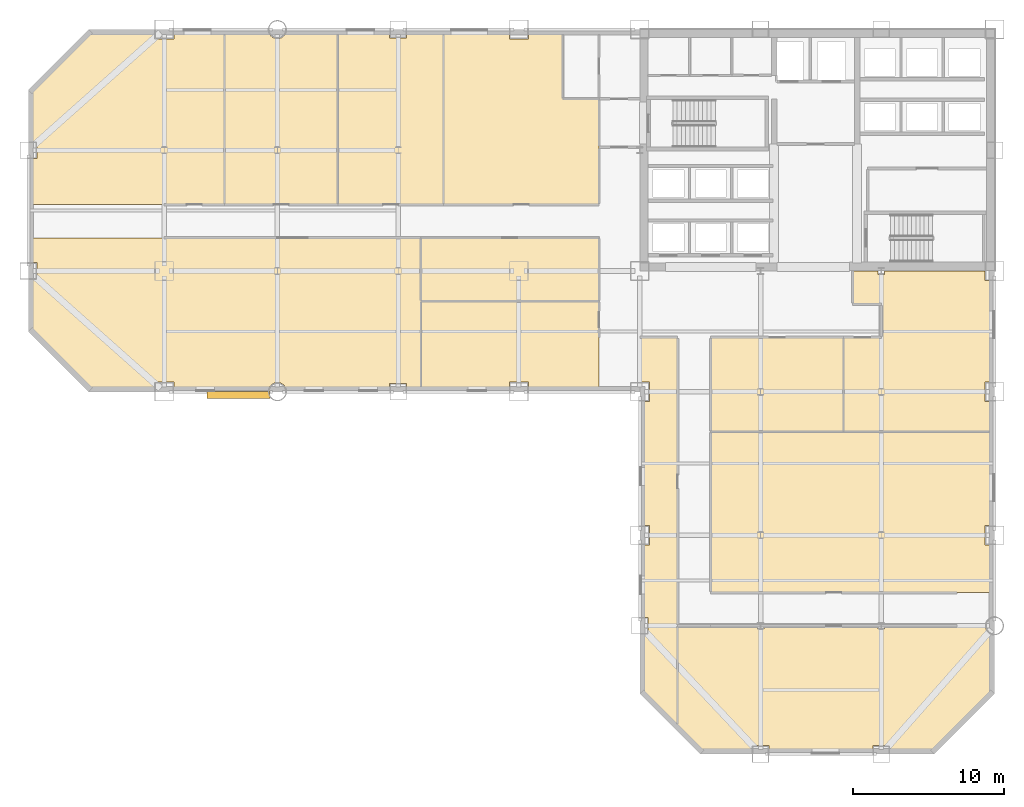
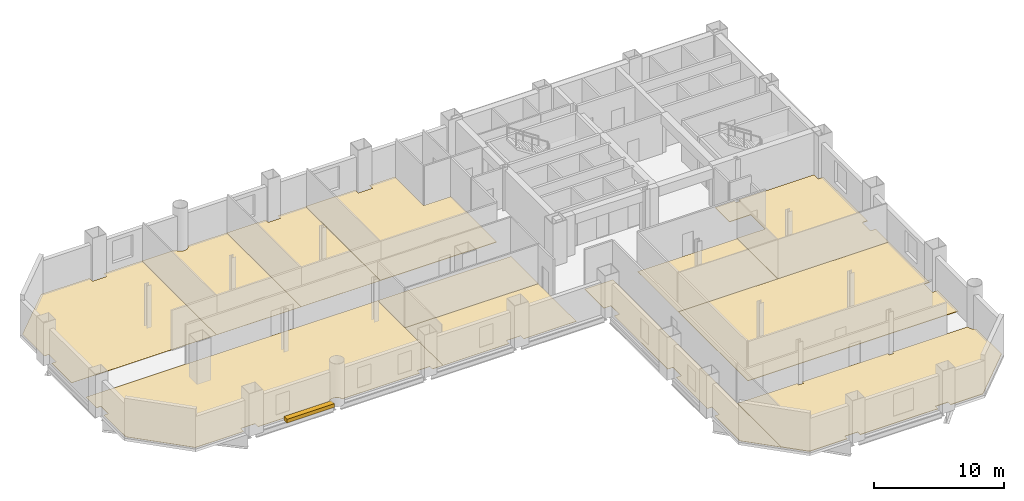
# One storey, part 8 of 9: 12 coverings, 1 shading device.
"""IFC4 building model written with IfcOpenShell, lengths in metres."""

from ifc_helpers import new_model, si_unit, direction, frame, origin, origin_2d, place, context, subcontext, project, spatial, polyline, rectangle, outline, extrude, material, layer, layer_set, type_object, element, save


model = new_model("IFC4")

# Units and contexts
model_context = context("Model", 3, precision=1e-05, world=origin(), true_north=direction((0.0, 1.0)))
body_context = subcontext(model_context, "Body", "Model", "MODEL_VIEW")
ifc_project = project(units=[si_unit("LENGTHUNIT", "METRE"), si_unit("AREAUNIT", "SQUARE_METRE"), si_unit("VOLUMEUNIT", "CUBIC_METRE"), si_unit("PLANEANGLEUNIT", "RADIAN"), si_unit("MASSUNIT", "GRAM", prefix="KILO")], contexts=[model_context])

# Site, building, storey
site_placement = place(None, origin())
site = spatial("IfcSite", under=ifc_project, at=site_placement, CompositionType="ELEMENT")
building_placement = place(site_placement, origin())
building = spatial("IfcBuilding", under=site, at=building_placement, Name="Qianrong Seaharbour Tower", CompositionType="ELEMENT")
storey_placement = place(building_placement, frame((0.0, 0.0, 88.199951171875)))
storey = spatial("IfcBuildingStorey", under=building, at=storey_placement, Name="L21", CompositionType="ELEMENT", Elevation=88.199951171875)

# Coverings
ifc_material_1 = material(Name="Acoustic modular carpet tile flooring")
ifc_layer_1 = layer(ifc_material_1, 0.02001953125)
ifc_layer_set_1 = layer_set([ifc_layer_1], Name="Acoustic modular carpet tile flooring")
covering_type_1 = type_object("IfcCoveringType", Name="COV-FLOOR-CARPET-20", PredefinedType="FLOORING", material=ifc_layer_set_1)
covering_1_placement = place(storey_placement, origin())
element("IfcCovering", 1, at=covering_1_placement, inside=storey, type_object=covering_type_1, Name="L21 Wellness Room 1 Finish Flooring", PredefinedType="FLOORING", context=body_context, shape_type="SweptSolid", body=[
    extrude(outline(polyline([(54.0, 31.60009765625), (54.0, 25.35009765625), (45.199951171875, 25.35009765625), (45.199951171875, 31.60009765625), (54.0, 31.60009765625)])), origin(), (0.0, 0.0, 1.0), 0.02001953125),
])
covering_2_placement = place(storey_placement, origin())
element("IfcCovering", 2, at=covering_2_placement, inside=storey, type_object=covering_type_1, Name="L21 Occupational Health Clinic 1 Finish Flooring", PredefinedType="FLOORING", context=body_context, shape_type="SweptSolid", body=[
    extrude(outline(polyline([(0.175048828125, 43.43994140625), (0.56005859375, 43.43994140625), (0.56005859375, 44.56005859375), (0.175048828125, 44.56005859375), (0.175048828125, 47.927490234375), (4.072509765625, 51.824951171875), (8.364990234375, 51.824951171875), (8.364990234375, 51.364990234375), (9.635009765625, 51.364990234375), (9.635009765625, 51.824951171875), (13.0, 51.824951171875), (13.0, 40.39990234375), (0.175048828125, 40.39990234375), (0.175048828125, 43.43994140625)])), origin(), (0.0, 0.0, 1.0), 0.02001953125),
])
covering_3_placement = place(storey_placement, origin())
element("IfcCovering", 3, at=covering_3_placement, inside=storey, type_object=covering_type_1, Name="L21 Physiotherapy Room 2 Finish Flooring", PredefinedType="FLOORING", context=body_context, shape_type="SweptSolid", body=[
    extrude(outline(polyline([(13.0, 51.824951171875), (15.918701171875, 51.824951171875), (15.936279296875, 51.7666015625), (15.992919921875, 51.6611328125), (16.068603515625, 51.568603515625), (16.1611328125, 51.492919921875), (16.2666015625, 51.436279296875), (16.381103515625, 51.401611328125), (16.5, 51.389892578125), (16.618896484375, 51.401611328125), (16.7333984375, 51.436279296875), (16.8388671875, 51.492919921875), (16.931396484375, 51.568603515625), (17.007080078125, 51.6611328125), (17.063720703125, 51.7666015625), (17.081298828125, 51.824951171875), (20.5, 51.824951171875), (20.5, 40.39990234375), (13.0, 40.39990234375), (13.0, 51.824951171875)])), origin(), (0.0, 0.0, 1.0), 0.02001953125),
])
covering_4_placement = place(storey_placement, origin())
element("IfcCovering", 4, at=covering_4_placement, inside=storey, type_object=covering_type_1, Name="L21 First Aid Nursing Room 3 Finish Flooring", PredefinedType="FLOORING", context=body_context, shape_type="SweptSolid", body=[
    extrude(outline(polyline([(20.5, 51.824951171875), (23.93994140625, 51.824951171875), (23.93994140625, 51.43994140625), (25.06005859375, 51.43994140625), (25.06005859375, 51.824951171875), (27.5, 51.824951171875), (27.5, 40.39990234375), (20.5, 40.39990234375), (20.5, 51.824951171875)])), origin(), (0.0, 0.0, 1.0), 0.02001953125),
])
covering_5_placement = place(storey_placement, origin())
element("IfcCovering", 5, at=covering_5_placement, inside=storey, type_object=covering_type_1, Name="L21 Wellness Exercise Hall Finish Flooring", PredefinedType="FLOORING", context=body_context, shape_type="SweptSolid", body=[
    extrude(outline(polyline([(25.06005859375, 28.175048828125), (25.06005859375, 28.56005859375), (23.93994140625, 28.56005859375), (23.93994140625, 28.175048828125), (17.081298828125, 28.175048828125), (17.063720703125, 28.2333984375), (17.007080078125, 28.3388671875), (16.931396484375, 28.431396484375), (16.8388671875, 28.507080078125), (16.7333984375, 28.563720703125), (16.618896484375, 28.598388671875), (16.5, 28.610107421875), (16.381103515625, 28.598388671875), (16.2666015625, 28.563720703125), (16.1611328125, 28.507080078125), (16.068603515625, 28.431396484375), (15.992919921875, 28.3388671875), (15.936279296875, 28.2333984375), (15.918701171875, 28.175048828125), (9.635009765625, 28.175048828125), (9.635009765625, 28.635009765625), (8.364990234375, 28.635009765625), (8.364990234375, 28.175048828125), (4.072509765625, 28.175048828125), (0.175048828125, 32.072509765625), (0.175048828125, 35.43994140625), (0.56005859375, 35.43994140625), (0.56005859375, 36.56005859375), (0.175048828125, 36.56005859375), (0.175048828125, 38.199951171875), (26.0, 38.199951171875), (26.0, 28.175048828125), (25.06005859375, 28.175048828125)])), origin(), (0.0, 0.0, 1.0), 0.02001953125),
])
covering_6_placement = place(storey_placement, origin())
element("IfcCovering", 6, at=covering_6_placement, inside=storey, type_object=covering_type_1, Name="L21 Medical Examination Room 1 Finish Flooring", PredefinedType="FLOORING", context=body_context, shape_type="SweptSolid", body=[
    extrude(outline(polyline([(37.800048828125, 28.175048828125), (33.135009765625, 28.175048828125), (33.135009765625, 28.635009765625), (31.864990234375, 28.635009765625), (31.864990234375, 28.175048828125), (26.0, 28.175048828125), (26.0, 34.0), (37.800048828125, 34.0), (37.800048828125, 28.175048828125)])), origin(), (0.0, 0.0, 1.0), 0.02001953125),
])
covering_7_placement = place(storey_placement, origin())
element("IfcCovering", 7, at=covering_7_placement, inside=storey, type_object=covering_type_1, Name="L21 Wet Pantry 2 Finish Flooring", PredefinedType="FLOORING", context=body_context, shape_type="SweptSolid", body=[
    extrude(outline(polyline([(37.800048828125, 38.199951171875), (37.800048828125, 34.0), (26.0, 34.0), (26.0, 38.199951171875), (37.800048828125, 38.199951171875)])), origin(), (0.0, 0.0, 1.0), 0.02001953125),
])
covering_8_placement = place(storey_placement, origin())
element("IfcCovering", 8, at=covering_8_placement, inside=storey, type_object=covering_type_1, Name="L21 Clinical Dispensary Store Finish Flooring", PredefinedType="FLOORING", context=body_context, shape_type="SweptSolid", body=[
    extrude(outline(polyline([(43.0, 5.74755859375), (40.675048828125, 8.072509765625), (40.675048828125, 11.93994140625), (41.06005859375, 11.93994140625), (41.06005859375, 13.06005859375), (40.675048828125, 13.06005859375), (40.675048828125, 17.864990234375), (41.135009765625, 17.864990234375), (41.135009765625, 19.135009765625), (40.675048828125, 19.135009765625), (40.675048828125, 27.364990234375), (41.135009765625, 27.364990234375), (41.135009765625, 28.635009765625), (40.5, 28.635009765625), (40.5, 31.60009765625), (43.0, 31.60009765625), (43.0, 5.74755859375)])), origin(), (0.0, 0.0, 1.0), 0.02001953125),
])
ifc_material_2 = material(Name="Calcium-sulphate raised access floor tile")
ifc_layer_2 = layer(ifc_material_2, 0.044921875)
ifc_layer_set_2 = layer_set([ifc_layer_2], Name="Calcium-sulphate raised access floor tile")
covering_type_2 = type_object("IfcCoveringType", Name="COV-FLOOR-RAISED-45", PredefinedType="FLOORING", material=ifc_layer_set_2)
covering_9_placement = place(storey_placement, origin())
element("IfcCovering", 9, at=covering_9_placement, inside=storey, type_object=covering_type_2, Name="L21 South Tip Open-Plan Office Finish Flooring", PredefinedType="FLOORING", context=body_context, shape_type="SweptSolid", body=[
    extrude(outline(polyline([(63.824951171875, 8.072509765625), (59.927490234375, 4.175048828125), (57.06005859375, 4.175048828125), (57.06005859375, 4.56005859375), (55.93994140625, 4.56005859375), (55.93994140625, 4.175048828125), (49.06005859375, 4.175048828125), (49.06005859375, 4.56005859375), (47.93994140625, 4.56005859375), (47.93994140625, 4.175048828125), (44.572509765625, 4.175048828125), (43.0, 5.74755859375), (43.0, 12.5), (48.28662109375, 12.5), (48.28662109375, 12.27587890625), (48.71337890625, 12.27587890625), (48.71337890625, 12.5), (56.28662109375, 12.5), (56.28662109375, 12.27587890625), (56.71337890625, 12.27587890625), (56.71337890625, 12.5), (63.389892578125, 12.5), (63.401611328125, 12.381103515625), (63.436279296875, 12.2666015625), (63.492919921875, 12.1611328125), (63.568603515625, 12.068603515625), (63.6611328125, 11.992919921875), (63.7666015625, 11.936279296875), (63.824951171875, 11.918701171875), (63.824951171875, 8.072509765625)])), origin(), (0.0, 0.0, 1.0), 0.045166015625),
])
covering_10_placement = place(storey_placement, origin())
element("IfcCovering", 10, at=covering_10_placement, inside=storey, type_object=covering_type_2, Name="L21 Operations Open-Plan Office Finish Flooring", PredefinedType="FLOORING", context=body_context, shape_type="SweptSolid", body=[
    extrude(outline(polyline([(63.824951171875, 25.35009765625), (63.824951171875, 19.135009765625), (63.364990234375, 19.135009765625), (63.364990234375, 17.864990234375), (63.824951171875, 17.864990234375), (63.824951171875, 14.699951171875), (45.199951171875, 14.699951171875), (45.199951171875, 25.35009765625), (63.824951171875, 25.35009765625)])), origin(), (0.0, 0.0, 1.0), 0.045166015625),
])
covering_11_placement = place(storey_placement, origin())
element("IfcCovering", 11, at=covering_11_placement, inside=storey, type_object=covering_type_2, Name="L21 Health Director Office 2 Finish Flooring", PredefinedType="FLOORING", context=body_context, shape_type="SweptSolid", body=[
    extrude(outline(polyline([(56.5, 31.60009765625), (56.5, 33.800048828125), (54.60009765625, 33.800048828125), (54.60009765625, 36.0), (56.28662109375, 36.0), (56.28662109375, 35.77587890625), (56.71337890625, 35.77587890625), (56.71337890625, 36.0), (63.364990234375, 36.0), (63.364990234375, 35.364990234375), (63.824951171875, 35.364990234375), (63.824951171875, 28.635009765625), (63.364990234375, 28.635009765625), (63.364990234375, 27.364990234375), (63.824951171875, 27.364990234375), (63.824951171875, 25.35009765625), (54.0, 25.35009765625), (54.0, 31.60009765625), (56.5, 31.60009765625)])), origin(), (0.0, 0.0, 1.0), 0.045166015625),
])
covering_12_placement = place(storey_placement, origin())
element("IfcCovering", 12, at=covering_12_placement, inside=storey, type_object=covering_type_2, Name="L21 Case Coordinator Office 4 Finish Flooring", PredefinedType="FLOORING", context=body_context, shape_type="SweptSolid", body=[
    extrude(outline(polyline([(27.5, 51.824951171875), (31.864990234375, 51.824951171875), (31.864990234375, 51.364990234375), (33.135009765625, 51.364990234375), (33.135009765625, 51.824951171875), (35.39990234375, 51.824951171875), (35.39990234375, 47.39990234375), (37.800048828125, 47.39990234375), (37.800048828125, 40.39990234375), (27.5, 40.39990234375), (27.5, 51.824951171875)])), origin(), (0.0, 0.0, 1.0), 0.045166015625),
])

# Shading device
ifc_material_3 = material(Name="White architectural precast concrete C45/55", Category="concrete")
shading_device_type = type_object("IfcShadingDeviceType", Name="SHD-SUNSHADE-WHITE-320", PredefinedType="AWNING", material=ifc_material_3)
shading_device_placement = place(storey_placement, frame((13.925048828125, 27.780029296875, -0.02001953125), z_axis=(0.0, 0.0, 1.0), x_axis=(1.0, 0.0, 0.0)))
element("IfcShadingDevice", 13, at=shading_device_placement, inside=storey, type_object=shading_device_type, Name="L21 Climbing White Precast Ribbon Canopy Fin", PredefinedType="AWNING", context=body_context, shape_type="SweptSolid", body=[
    extrude(rectangle(XDim=4.199951171875, YDim=0.4599609375, at=origin_2d()), origin(), (0.0, 0.0, 1.0), 0.340087890625),
])

save(model, "model.ifc")
